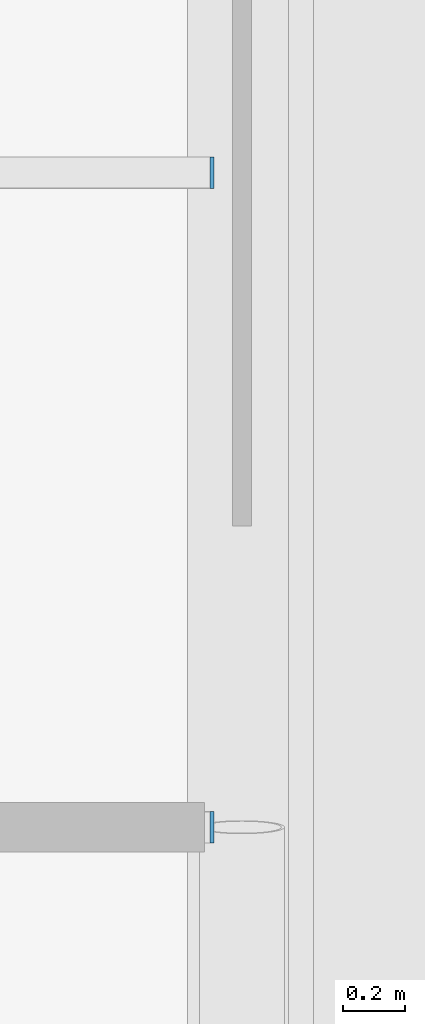
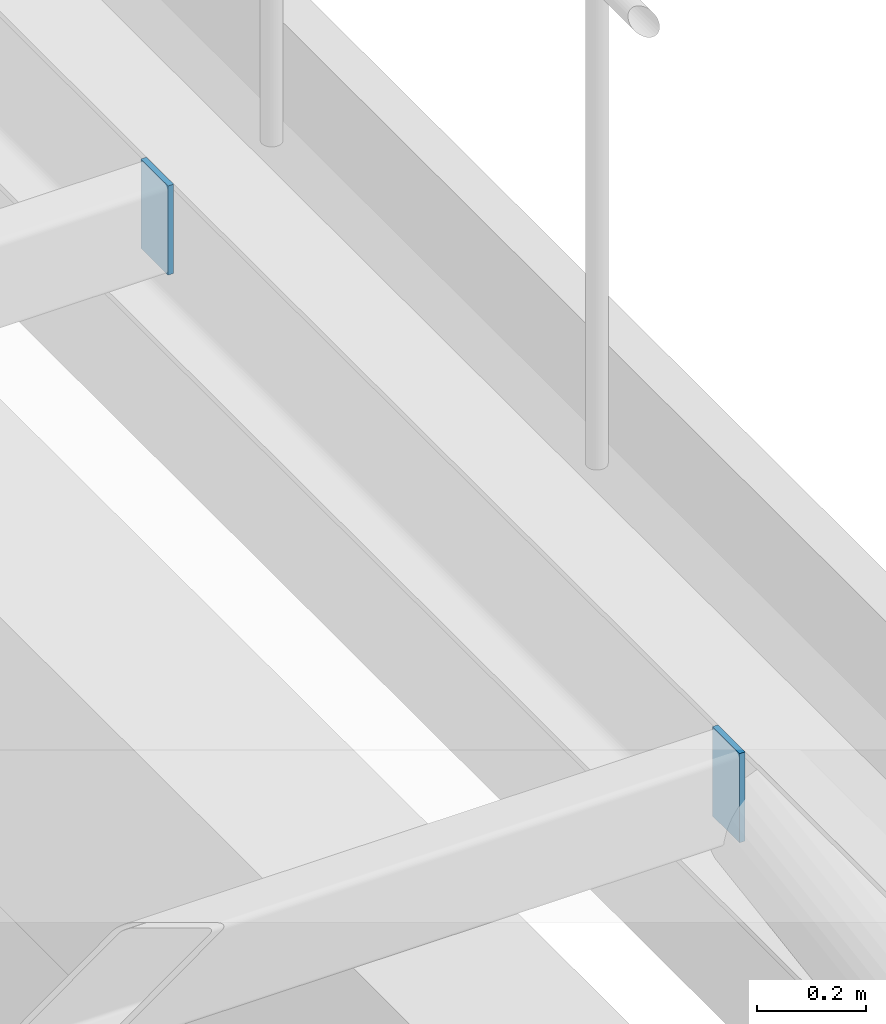
# One storey, part 13 of 20: 2 plates.
"""IFC4 building model written with IfcOpenShell, lengths in metres."""

from ifc_helpers import new_model, si_unit, direction, frame, origin, origin_2d, place, context, subcontext, project, spatial, rectangle, extrude, material, layer, layer_set, type_object, element, save


model = new_model("IFC4")

# Units and contexts
model_context = context("Model", 3, precision=1e-05, world=origin(), true_north=direction((0.0, 1.0)))
body_context = subcontext(model_context, "Body", "Model", "MODEL_VIEW")
ifc_project = project(units=[si_unit("LENGTHUNIT", "METRE"), si_unit("AREAUNIT", "SQUARE_METRE"), si_unit("VOLUMEUNIT", "CUBIC_METRE"), si_unit("PLANEANGLEUNIT", "RADIAN"), si_unit("MASSUNIT", "GRAM", prefix="KILO"), si_unit("THERMODYNAMICTEMPERATUREUNIT", "KELVIN"), si_unit("POWERUNIT", "WATT")], contexts=[model_context])

# Site, building, storey
site_placement = place(None, origin())
site = spatial("IfcSite", under=ifc_project, at=site_placement, CompositionType="ELEMENT")
building_placement = place(site_placement, origin())
building = spatial("IfcBuilding", under=site, at=building_placement, Name="Srebrne Nadtorze General Hospital", CompositionType="ELEMENT")
storey_placement = place(building_placement, frame((0.0, 0.0, 33.89990234375)))
storey = spatial("IfcBuildingStorey", under=building, at=storey_placement, Name="L08", CompositionType="ELEMENT", Elevation=33.89990234375)

# Plates
ifc_material = material(Name="Steel S355J2", Category="steel")
ifc_layer = layer(ifc_material, 0.011962890625)
ifc_layer_set = layer_set([ifc_layer], Name="Steel S355J2")
plate_type = type_object("IfcPlateType", Name="Steel bearing plate 12", PredefinedType="SHEET", material=ifc_layer_set)
for number, where, z_axis, x_axis, name in (
    (1, (54.50390625, 71.39990234375, 4.64013671875), (0.0, 0.0, 1.0), (1.0, 0.0, 0.0), "Helipad deck purlin end plate 26-2"),
    (2, (54.50390625, 73.5, 4.64013671875), (0.0, 0.0, 1.0), (1.0, 0.0, 0.0), "Helipad deck purlin end plate 27-2"),
):
    element("IfcPlate", number, at=place(storey_placement, frame(where, z_axis=z_axis, x_axis=x_axis)), inside=storey, type_object=plate_type, Name=name, PredefinedType="SHEET", context=body_context, shape_type="SweptSolid", body=[
        extrude(rectangle(XDim=0.011962890625, YDim=0.10009765625, at=origin_2d()), origin(), (0.0, 0.0, 1.0), 0.199951171875),
    ])

save(model, "model.ifc")
